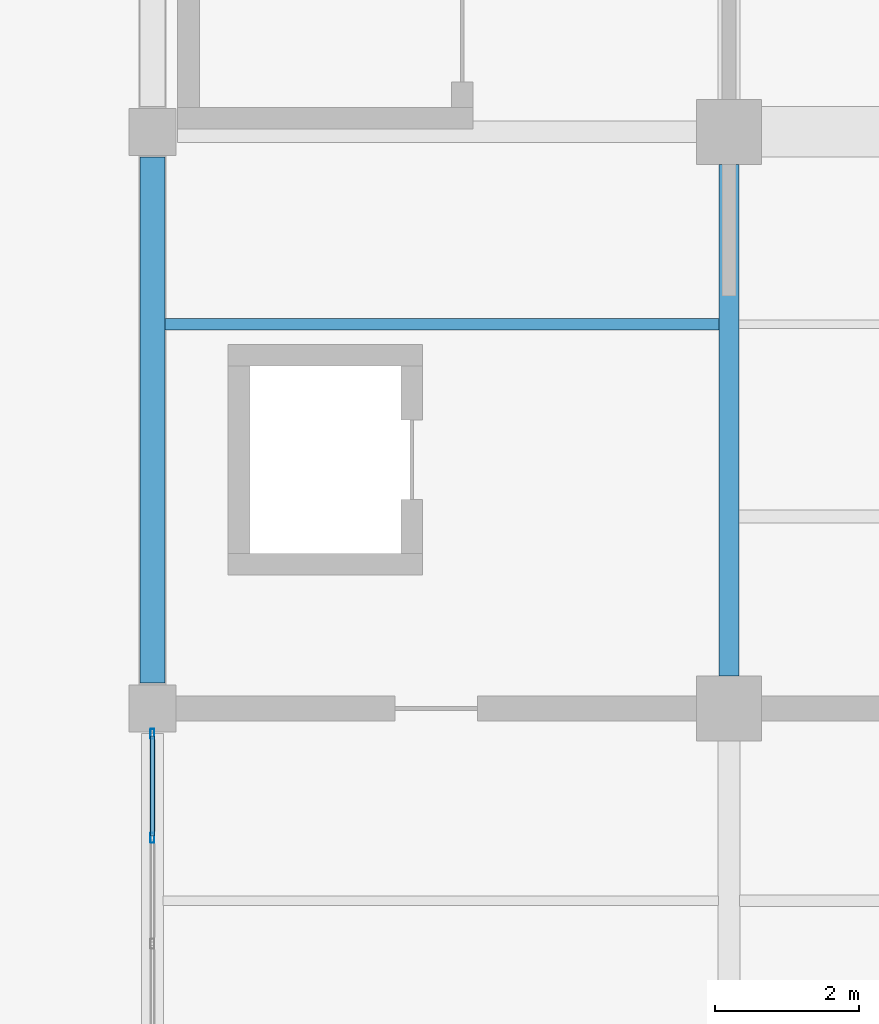
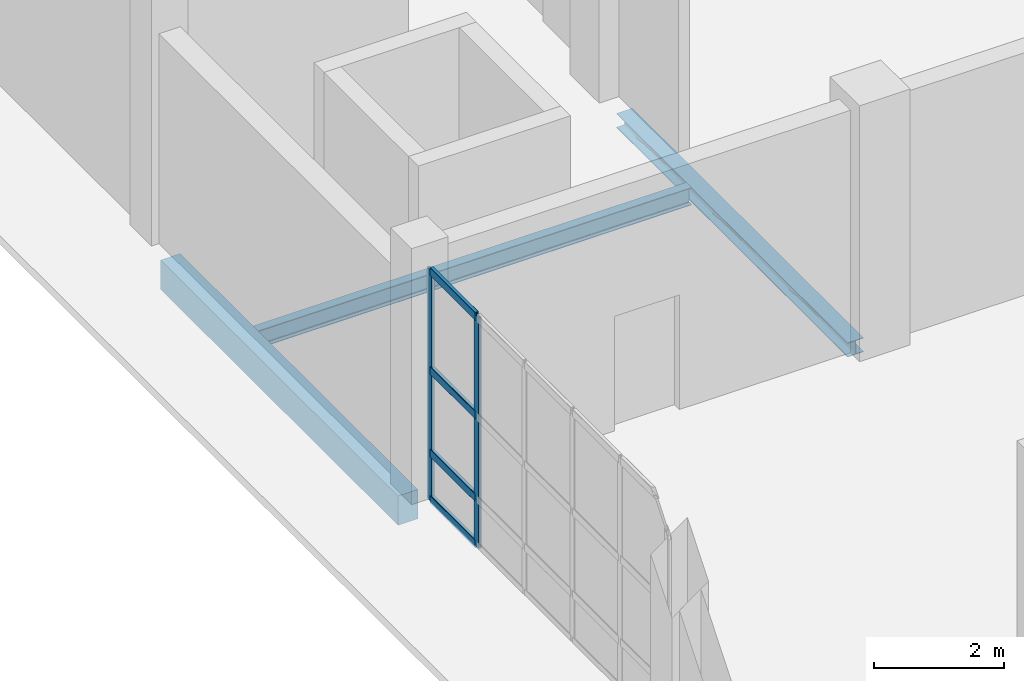
# One storey, part 49 of 156: 6 members, 3 beams, 1 element without a shape of its own.
"""IFC4 building model written with IfcOpenShell, lengths in metres."""

from ifc_helpers import new_model, si_unit, direction, frame, origin, origin_2d, place, context, subcontext, project, spatial, rectangle, hollow_rectangle, i_section, extrude, material, material_profile, profile_set, type_object, element, aggregate, save


model = new_model("IFC4")

# Units and contexts
model_context = context("Model", 3, precision=1e-05, world=origin(), true_north=direction((0.0, 1.0)))
body_context = subcontext(model_context, "Body", "Model", "MODEL_VIEW")
ifc_project = project(units=[si_unit("LENGTHUNIT", "METRE"), si_unit("AREAUNIT", "SQUARE_METRE"), si_unit("VOLUMEUNIT", "CUBIC_METRE"), si_unit("PLANEANGLEUNIT", "RADIAN"), si_unit("MASSUNIT", "GRAM", prefix="KILO")], contexts=[model_context])

# Site, building, storey
site_placement = place(None, origin())
site = spatial("IfcSite", under=ifc_project, at=site_placement, CompositionType="ELEMENT")
building_placement = place(site_placement, origin())
building = spatial("IfcBuilding", under=site, at=building_placement, Name="Luwemba Playhouse", CompositionType="ELEMENT")
storey_placement = place(building_placement, origin())
storey = spatial("IfcBuildingStorey", under=building, at=storey_placement, Name="L00", CompositionType="ELEMENT", Elevation=0.0)

# Beams
ifc_material_1 = material(Name="Steel S355", Category="steel")
ifc_material_profile_1 = material_profile(ifc_material_1, i_section(OverallWidth=0.280029296875, OverallDepth=0.27001953125, WebThickness=0.008056640625, FlangeThickness=0.012939453125, FilletRadius=0.02392578125, at=origin_2d()))
ifc_profile_set_1 = profile_set([ifc_material_profile_1], Name="Steel S355")
beam_type_1 = type_object("IfcBeamType", Name="BM-SB02", PredefinedType="BEAM", material=ifc_profile_set_1)
beam_1_placement = place(storey_placement, frame((12.0, 68.449951171875, -0.43505859375), z_axis=(0.0, 1.0, 0.0), x_axis=(-1.0, 0.0, 0.0)))
element("IfcBeam", 1, at=beam_1_placement, inside=storey, type_object=beam_type_1, Name="L00 transverse girder 0059", PredefinedType="BEAM", context=body_context, shape_type="SweptSolid", body=[
    extrude(i_section(OverallWidth=0.280029296875, OverallDepth=0.27001953125, WebThickness=0.008056640625, FlangeThickness=0.012939453125, FilletRadius=0.02392578125, at=origin_2d()), origin(), (0.0, 0.0, 1.0), 7.10009765625),
])
ifc_material_profile_2 = material_profile(ifc_material_1, i_section(OverallWidth=0.159912109375, OverallDepth=0.330078125, WebThickness=0.007568359375, FlangeThickness=0.011474609375, FilletRadius=0.01806640625, at=origin_2d()))
ifc_profile_set_2 = profile_set([ifc_material_profile_2], Name="Steel S355")
beam_type_2 = type_object("IfcBeamType", Name="BM-SJ06", PredefinedType="JOIST", material=ifc_profile_set_2)
beam_2_placement = place(storey_placement, frame((4.1708984375, 73.333251953125, -0.465087890625), z_axis=(1.0, 0.0, 0.0), x_axis=(0.0, 1.0, 0.0)))
element("IfcBeam", 2, at=beam_2_placement, inside=storey, type_object=beam_type_2, Name="L00 composite floor joist 0044", PredefinedType="JOIST", context=body_context, shape_type="SweptSolid", body=[
    extrude(i_section(OverallWidth=0.159912109375, OverallDepth=0.330078125, WebThickness=0.007568359375, FlangeThickness=0.011474609375, FilletRadius=0.01806640625, at=origin_2d()), origin(), (0.0, 0.0, 1.0), 7.693115234375),
])
ifc_material_2 = material(Name="Concrete C40/50", Category="concrete")
ifc_material_profile_3 = material_profile(ifc_material_2, rectangle(XDim=0.35009765625, YDim=0.550048828125, at=origin_2d()))
ifc_profile_set_3 = profile_set([ifc_material_profile_3], Name="Concrete C40/50")
beam_type_3 = type_object("IfcBeamType", Name="BM-SP2", PredefinedType="SPANDREL", material=ifc_profile_set_3)
beam_3_placement = place(storey_placement, frame((4.0, 68.35009765625, -0.574951171875), z_axis=(0.0, 1.0, 0.0), x_axis=(-1.0, 0.0, 0.0)))
element("IfcBeam", 3, at=beam_3_placement, inside=storey, type_object=beam_type_3, Name="L00 transverse girder 0056", PredefinedType="SPANDREL", context=body_context, shape_type="SweptSolid", body=[
    extrude(rectangle(XDim=0.35009765625, YDim=0.550048828125, at=origin_2d()), origin(), (0.0, 0.0, 1.0), 7.2998046875),
])

# Curtain wall, members
ifc_material_3 = material(Name="Solar-control double glazing", Category="glass")
curtain_wall_type = type_object("IfcCurtainWallType", Name="CW-CW05", PredefinedType="USERDEFINED", material=ifc_material_3)
curtain_wall_placement = place(storey_placement, origin())
curtain_wall = element("IfcCurtainWall", 4, at=curtain_wall_placement, inside=storey, type_object=curtain_wall_type, Name="L00 V1 unitised curtain wall 005", ObjectType="UNITISED GLAZING", PredefinedType="USERDEFINED")
ifc_material_4 = material(Name="Aluminium 6063-T6", Category="aluminium")
ifc_material_profile_4 = material_profile(ifc_material_4, hollow_rectangle(XDim=0.054931640625, YDim=0.139892578125, WallThickness=0.00390625, InnerFilletRadius=0.006103515625, OuterFilletRadius=0.010009765625, at=origin_2d()))
ifc_profile_set_4 = profile_set([ifc_material_profile_4], Name="Aluminium 6063-T6")
member_type_1 = type_object("IfcMemberType", Name="CWM-M3", PredefinedType="MULLION", material=ifc_profile_set_4)
member_1_placement = place(storey_placement, frame((4.0, 66.205078125, 0.0), z_axis=(0.0, 0.0, 1.0), x_axis=(-1.0, 0.0, 0.0)))
member_1 = element("IfcMember", 5, at=member_1_placement, type_object=member_type_1, Name="CW05 mullion 5", PredefinedType="MULLION", context=body_context, shape_type="SweptSolid", body=[
    extrude(hollow_rectangle(XDim=0.054931640625, YDim=0.139892578125, WallThickness=0.00390625, InnerFilletRadius=0.006103515625, OuterFilletRadius=0.010009765625, at=origin_2d()), origin(), (0.0, 0.0, 1.0), 4.3349609375),
])
member_2_placement = place(storey_placement, frame((4.0, 67.6474609375, 0.0), z_axis=(0.0, 0.0, 1.0), x_axis=(-1.0, 0.0, 0.0)))
member_2 = element("IfcMember", 6, at=member_2_placement, type_object=member_type_1, Name="CW05 mullion 6", PredefinedType="MULLION", context=body_context, shape_type="SweptSolid", body=[
    extrude(hollow_rectangle(XDim=0.054931640625, YDim=0.139892578125, WallThickness=0.00390625, InnerFilletRadius=0.006103515625, OuterFilletRadius=0.010009765625, at=origin_2d()), origin(), (0.0, 0.0, 1.0), 4.3349609375),
])
ifc_material_profile_5 = material_profile(ifc_material_4, hollow_rectangle(XDim=0.06494140625, YDim=0.14990234375, WallThickness=0.00390625, InnerFilletRadius=0.006103515625, OuterFilletRadius=0.010009765625, at=origin_2d()))
ifc_profile_set_5 = profile_set([ifc_material_profile_5], Name="Aluminium 6063-T6")
member_type_2 = type_object("IfcMemberType", Name="CWT-T3", PredefinedType="USERDEFINED", material=ifc_profile_set_5)
member_3_placement = place(storey_placement, frame((4.0, 66.232421875, 0.032470703125), z_axis=(0.0, 1.0, 0.0), x_axis=(-1.0, 0.0, 0.0)))
member_3 = element("IfcMember", 7, at=member_3_placement, type_object=member_type_2, Name="CW05 transom 5.1", ObjectType="TRANSOM", PredefinedType="USERDEFINED", context=body_context, shape_type="SweptSolid", body=[
    extrude(hollow_rectangle(XDim=0.06494140625, YDim=0.14990234375, WallThickness=0.00390625, InnerFilletRadius=0.006103515625, OuterFilletRadius=0.010009765625, at=origin_2d()), origin(), (0.0, 0.0, 1.0), 1.3876953125),
])
member_4_placement = place(storey_placement, frame((4.0, 66.232421875, 0.89990234375), z_axis=(0.0, 1.0, 0.0), x_axis=(-1.0, 0.0, 0.0)))
member_4 = element("IfcMember", 8, at=member_4_placement, type_object=member_type_2, Name="CW05 transom 5.2", ObjectType="TRANSOM", PredefinedType="USERDEFINED", context=body_context, shape_type="SweptSolid", body=[
    extrude(hollow_rectangle(XDim=0.06494140625, YDim=0.14990234375, WallThickness=0.00390625, InnerFilletRadius=0.006103515625, OuterFilletRadius=0.010009765625, at=origin_2d()), origin(), (0.0, 0.0, 1.0), 1.3876953125),
])
member_5_placement = place(storey_placement, frame((4.0, 66.232421875, 2.449951171875), z_axis=(0.0, 1.0, 0.0), x_axis=(-1.0, 0.0, 0.0)))
member_5 = element("IfcMember", 9, at=member_5_placement, type_object=member_type_2, Name="CW05 transom 5.3", ObjectType="TRANSOM", PredefinedType="USERDEFINED", context=body_context, shape_type="SweptSolid", body=[
    extrude(hollow_rectangle(XDim=0.06494140625, YDim=0.14990234375, WallThickness=0.00390625, InnerFilletRadius=0.006103515625, OuterFilletRadius=0.010009765625, at=origin_2d()), origin(), (0.0, 0.0, 1.0), 1.3876953125),
])
member_6_placement = place(storey_placement, frame((4.0, 66.232421875, 4.302490234375), z_axis=(0.0, 1.0, 0.0), x_axis=(-1.0, 0.0, 0.0)))
member_6 = element("IfcMember", 10, at=member_6_placement, type_object=member_type_2, Name="CW05 transom 5.4", ObjectType="TRANSOM", PredefinedType="USERDEFINED", context=body_context, shape_type="SweptSolid", body=[
    extrude(hollow_rectangle(XDim=0.06494140625, YDim=0.14990234375, WallThickness=0.00390625, InnerFilletRadius=0.006103515625, OuterFilletRadius=0.010009765625, at=origin_2d()), origin(), (0.0, 0.0, 1.0), 1.3876953125),
])
aggregate(curtain_wall, [member_1, member_2, member_3, member_4, member_5, member_6])

save(model, "model.ifc")
